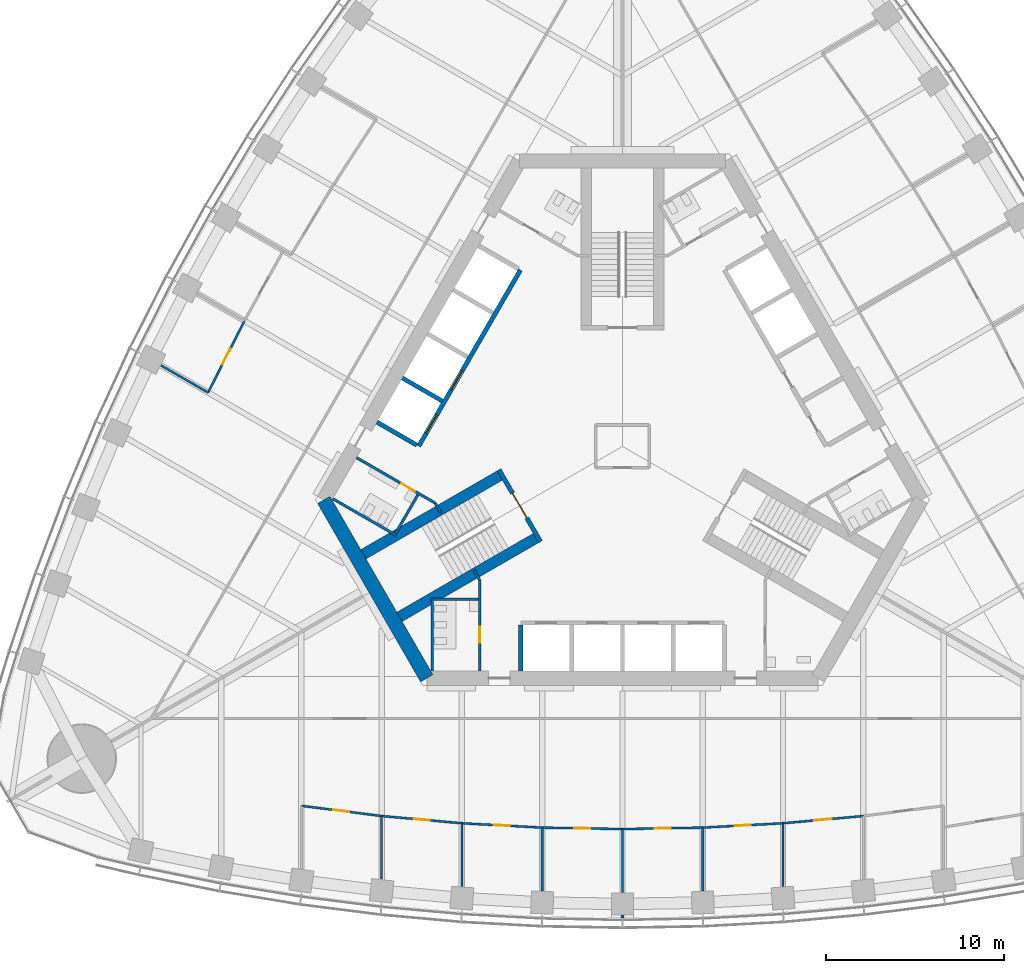
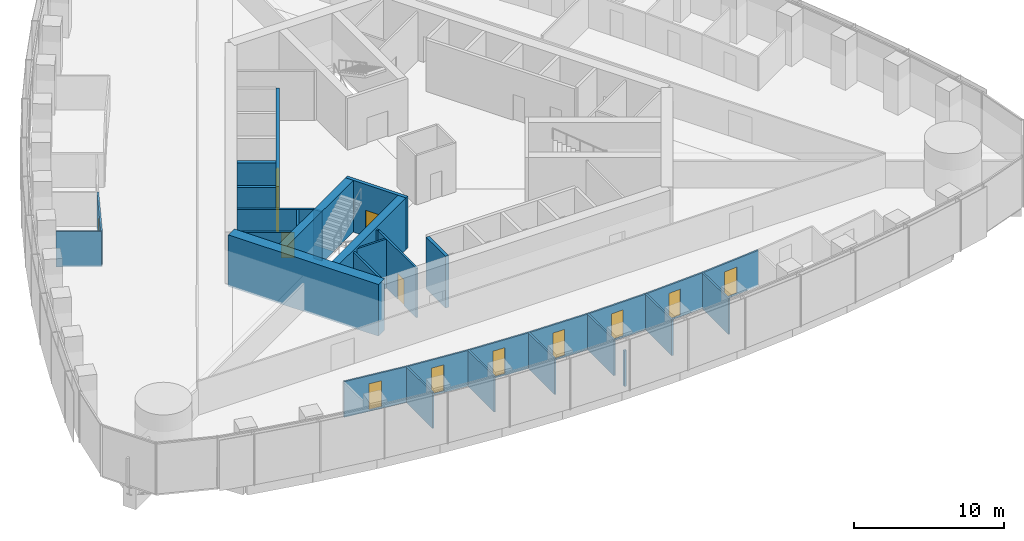
# One storey, part 12 of 21: 32 walls, 13 doors, 13 openings.
"""IFC4 building model written with IfcOpenShell, lengths in metres."""

import ifcopenshell
import ifcopenshell.guid

model = None  # the IFC model being written
_history = None  # IfcOwnerHistory: only IFC2X3 demands one
_inside = {}  # id of a spatial element -> (the spatial element, [elements in it])
_under = {}  # id of a project, library or spatial element -> (it, [spatial elements below it])
_declared = {}  # id of a project -> (the project, [libraries it declares])
_typed = {}  # id of a type object -> (the type object, [elements of that type])
_made_of = {}  # id of a material, layer set ... -> (it, [elements and type objects made of it])


def new_model(schema):
    """Start an empty IFC model of exactly this schema.

    Asked for "IFC4X3", IfcOpenShell would pick the latest addendum, in which some entities
    have other attributes; the version numbers below select the first issue.
    IFC2X3 requires an IfcOwnerHistory on every rooted entity: one is made here for all.
    """
    global model, _history
    if schema == "IFC4X3":
        model = ifcopenshell.file(schema_version=(4, 3, 0, 0))
    else:
        model = ifcopenshell.file(schema=schema)
    _inside.clear()
    _under.clear()
    _declared.clear()
    _typed.clear()
    _made_of.clear()
    _history = None
    if model.schema == "IFC2X3":
        org = make("IfcOrganization", Name="unknown")
        user = make(
            "IfcPersonAndOrganization",
            ThePerson=make("IfcPerson", FamilyName="unknown"),
            TheOrganization=org,
        )
        app = make(
            "IfcApplication",
            ApplicationDeveloper=org,
            Version="unknown",
            ApplicationFullName="unknown",
            ApplicationIdentifier="unknown",
        )
        _history = make(
            "IfcOwnerHistory",
            OwningUser=user,
            OwningApplication=app,
            ChangeAction="ADDED",
            CreationDate=0,
        )
    return model


def make(cls, **values):
    """One entity of the class cls with the attributes given. An attribute that is None is left unset."""
    return model.create_entity(
        cls, **{name: value for name, value in values.items() if value is not None}
    )


def rooted(cls, **values):
    """An entity with a GlobalId (a new one), such as an element, a storey or a relation."""
    return make(cls, GlobalId=ifcopenshell.guid.new(), OwnerHistory=_history, **values)


def si_unit(unit_type, name, prefix=None):
    """IfcSIUnit, for example si_unit("LENGTHUNIT", "METRE", prefix="MILLI")."""
    return make("IfcSIUnit", UnitType=unit_type, Prefix=prefix, Name=name)


def assignment(units):
    """IfcUnitAssignment: the units of a project."""
    return None if units is None else make("IfcUnitAssignment", Units=units)


def point(xyz):
    """IfcCartesianPoint."""
    return None if xyz is None else make("IfcCartesianPoint", Coordinates=xyz)


def direction(xyz):
    """IfcDirection."""
    return None if xyz is None else make("IfcDirection", DirectionRatios=xyz)


def frame(location, z_axis=None, x_axis=None):
    """IfcAxis2Placement3D, a coordinate frame: its origin and axes. An axis left out is left unset."""
    return make(
        "IfcAxis2Placement3D",
        Location=point(location),
        Axis=direction(z_axis),
        RefDirection=direction(x_axis),
    )


def frame_2d(location, x_axis=None):
    """IfcAxis2Placement2D, a coordinate frame in the plane: its origin and x axis."""
    return make(
        "IfcAxis2Placement2D", Location=point(location), RefDirection=direction(x_axis)
    )


def origin():
    """The frame at (0, 0, 0) with its axes left unset."""
    return frame((0.0, 0.0, 0.0))


def place(relative_to, where):
    """IfcLocalPlacement: puts the frame where relative to a parent placement (None: the world)."""
    return make(
        "IfcLocalPlacement", PlacementRelTo=relative_to, RelativePlacement=where
    )


def context(
    kind, dimensions, precision=None, world=None, true_north=None, identifier=None
):
    """IfcGeometricRepresentationContext, for example the 3D "Model" context."""
    return make(
        "IfcGeometricRepresentationContext",
        ContextIdentifier=identifier,
        ContextType=kind,
        CoordinateSpaceDimension=dimensions,
        Precision=precision,
        WorldCoordinateSystem=world,
        TrueNorth=true_north,
    )


def subcontext(parent, identifier, kind, view, scale=None):
    """IfcGeometricRepresentationSubContext, for example "Body" below "Model"."""
    return make(
        "IfcGeometricRepresentationSubContext",
        ContextIdentifier=identifier,
        ContextType=kind,
        ParentContext=parent,
        TargetScale=scale,
        TargetView=view,
    )


def project(units=None, contexts=None):
    """IfcProject with its units and contexts."""
    return rooted(
        "IfcProject",
        Name="project",
        RepresentationContexts=contexts,
        UnitsInContext=assignment(units),
    )


def spatial(cls, under=None, at=None, **own):
    """A site, building, storey or space (cls), placed at a placement, below another one or the project."""
    s = rooted(cls, ObjectPlacement=at, **own)
    if under is not None:
        _under.setdefault(under.id(), (under, []))[1].append(s)
    return s


def profile(cls, at=None, kind="AREA", **sizes):
    """A parametric profile (cls). Its sizes go by their IFC names, for example OverallWidth=200.0."""
    return make(cls, ProfileType=kind, Position=at, **sizes)


def rectangle(**sizes):
    """IfcRectangleProfileDef."""
    return profile("IfcRectangleProfileDef", **sizes)


def extrude(swept, where, along, depth):
    """IfcExtrudedAreaSolid: the profile swept, set in the frame where, extruded along a direction by depth."""
    return make(
        "IfcExtrudedAreaSolid",
        SweptArea=swept,
        Position=where,
        ExtrudedDirection=direction(along),
        Depth=depth,
    )


def shape(context_of_items, identifier, shape_type, items):
    """IfcShapeRepresentation: the items that make up one representation, for example the "Body"."""
    return make(
        "IfcShapeRepresentation",
        ContextOfItems=context_of_items,
        RepresentationIdentifier=identifier,
        RepresentationType=shape_type,
        Items=items,
    )


def material(Name=None, Category=None):
    """IfcMaterial."""
    return make("IfcMaterial", Name=Name, Category=Category)


def layer(
    of_material, thickness, ventilated=None, Name=None, Category=None, Priority=None
):
    """IfcMaterialLayer: one layer of a wall or slab, of a material (None: an air gap)."""
    return make(
        "IfcMaterialLayer",
        Material=of_material,
        LayerThickness=thickness,
        IsVentilated=ventilated,
        Name=Name,
        Category=Category,
        Priority=Priority,
    )


def layer_set(layers, Name=None):
    """IfcMaterialLayerSet."""
    return make("IfcMaterialLayerSet", MaterialLayers=layers, LayerSetName=Name)


def made_of(thing, what):
    """Note that an element or type object is made of a material, layer set ...; save() writes the relation."""
    if what is not None:
        _made_of.setdefault(what.id(), (what, []))[1].append(thing)
    return thing


def type_object(cls, material=None, **own):
    """A type object (cls), such as IfcWallType, which elements share."""
    return made_of(rooted(cls, **own), material)


def element(
    cls,
    number,
    at=None,
    inside=None,
    cuts=None,
    type_object=None,
    material=None,
    context=None,
    identifier="Body",
    shape_type=None,
    held_by="IfcProductDefinitionShape",
    body=None,
    shapes=None,
    **own,
):
    """One element of the class cls, such as IfcWall. Its Tag is "e" and its number.

    at: its placement. inside: the storey or other place that contains it. cuts: it is an
    opening in that element (IfcRelVoidsElement). A single representation is given by context,
    identifier, shape_type and body (its items); several are given by shapes. held_by: the class
    of the entity that holds the representations. save() writes the other relations.
    """
    e = rooted(cls, Tag="e%d" % number, ObjectPlacement=at, **own)
    if body is not None:
        shapes = [shape(context, identifier, shape_type, body)]
    if shapes is not None:
        e.Representation = make(held_by, Representations=shapes)
    if inside is not None:
        _inside.setdefault(inside.id(), (inside, []))[1].append(e)
    if cuts is not None:
        rooted(
            "IfcRelVoidsElement", RelatingBuildingElement=cuts, RelatedOpeningElement=e
        )
    if type_object is not None:
        _typed.setdefault(type_object.id(), (type_object, []))[1].append(e)
    return made_of(e, material)


def fill(opening, filler):
    """IfcRelFillsElement: the door or window that sits in an opening."""
    return rooted(
        "IfcRelFillsElement",
        RelatingOpeningElement=opening,
        RelatedBuildingElement=filler,
    )


def aggregate(whole, parts):
    """IfcRelAggregates: a whole, such as a stair, and the parts it consists of."""
    return rooted("IfcRelAggregates", RelatingObject=whole, RelatedObjects=parts)


def save(model, path):
    """Write the relations noted so far, then the file.

    IfcRelAggregates (storeys below a building ...), IfcRelContainedInSpatialStructure (elements
    in a storey), IfcRelDefinesByType, IfcRelAssociatesMaterial and IfcRelDeclares: one each for
    every whole, place, type object, material and project.
    """
    for whole, parts in _under.values():
        aggregate(whole, parts)
    for where, things in _inside.values():
        rooted(
            "IfcRelContainedInSpatialStructure",
            RelatedElements=things,
            RelatingStructure=where,
        )
    for kind, things in _typed.values():
        rooted("IfcRelDefinesByType", RelatedObjects=things, RelatingType=kind)
    for what, things in _made_of.values():
        rooted("IfcRelAssociatesMaterial", RelatedObjects=things, RelatingMaterial=what)
    for by, libraries in _declared.values():
        rooted("IfcRelDeclares", RelatingContext=by, RelatedDefinitions=libraries)
    model.write(path)


model = new_model("IFC4")

# Units and contexts
model_context = context("Model", 3, precision=1e-05, world=origin(), true_north=direction((0.0, 1.0)))
body_context = subcontext(model_context, "Body", "Model", "MODEL_VIEW")
ifc_project = project(units=[si_unit("LENGTHUNIT", "METRE"), si_unit("AREAUNIT", "SQUARE_METRE"), si_unit("VOLUMEUNIT", "CUBIC_METRE"), si_unit("PLANEANGLEUNIT", "RADIAN"), si_unit("MASSUNIT", "GRAM", prefix="KILO")], contexts=[model_context])

# Site, building, storey
site_placement = place(None, origin())
site = spatial("IfcSite", under=ifc_project, at=site_placement, CompositionType="ELEMENT")
building_placement = place(site_placement, origin())
building = spatial("IfcBuilding", under=site, at=building_placement, Name="Trefoil Bronze Tower", CompositionType="ELEMENT")
storey_placement = place(building_placement, frame((0.0, 0.0, 145.10009765625)))
storey = spatial("IfcBuildingStorey", under=building, at=storey_placement, Name="L33", CompositionType="ELEMENT", Elevation=145.10009765625)

# Wall
ifc_material_1 = material(Name="Concrete B80", Category="concrete")
ifc_layer_1 = layer(ifc_material_1, 0.800048828125)
ifc_layer_set_1 = layer_set([ifc_layer_1], Name="Core wall 800")
wall_type_1 = type_object("IfcWallType", Name="Core wall 800", PredefinedType="SHEAR", material=ifc_layer_set_1)
wall_1_placement = place(storey_placement, frame((-16.7431640625, -3.0, 0.0), z_axis=(0.0, 0.0, 1.0), x_axis=(0.499995765644, -0.866027848477, 0.0)))
element("IfcWall", 1, at=wall_1_placement, inside=storey, type_object=wall_type_1, Name="Core short wall 3 L33", PredefinedType="SHEAR", context=body_context, shape_type="SweptSolid", body=[
    extrude(rectangle(XDim=11.546875, YDim=0.800048828125, at=frame_2d((5.7734375, 0.0))), origin(), (0.0, 0.0, 1.0), 4.199951171875),
])

# Wall, opening, door
ifc_material_2 = material(Name="Glazed partition", Category="glass")
ifc_layer_2 = layer(ifc_material_2, 0.1201171875)
ifc_layer_set_2 = layer_set([ifc_layer_2], Name="Glazed partition 120")
wall_type_2 = type_object("IfcWallType", Name="Glazed partition 120", PredefinedType="PARTITIONING", material=ifc_layer_set_2)
wall_2_placement = place(storey_placement, frame((0.0, -21.44970703125, 0.0), z_axis=(0.0, 0.0, 1.0), x_axis=(0.999837820638, 0.018009231578, 0.0)))
wall_2 = element("IfcWall", 2, at=wall_2_placement, inside=storey, type_object=wall_type_2, Name="Partition F1 L33", PredefinedType="PARTITIONING", context=body_context, shape_type="SweptSolid", body=[
    extrude(rectangle(XDim=4.500732421875, YDim=0.1201171875, at=frame_2d((2.25048828125, 0.0))), origin(), (0.0, 0.0, 1.0), 2.89990234375),
])
opening_1_placement = place(wall_2_placement, frame((1.800048828125, 0.0, 0.14990234375)))
opening_1 = element("IfcOpeningElement", 3, at=opening_1_placement, cuts=wall_2, Name="Opening D8", PredefinedType="OPENING", context=body_context, shape_type="SweptSolid", body=[
    extrude(rectangle(XDim=0.89990234375, YDim=2.10009765625, at=frame_2d((0.449951171875, 1.050048828125))), frame((0.0, 0.070068359375, 0.0), z_axis=(0.0, -1.0, 0.0), x_axis=(1.0, 0.0, 0.0)), (0.0, 0.0, 1.0), 0.14013671875),
])
ifc_material_3 = material(Name="Timber door", Category="wood")
door_type_1 = type_object("IfcDoorType", Name="Office door 900", OperationType="SINGLE_SWING_LEFT", PredefinedType="DOOR", material=ifc_material_3)
door_1_placement = place(opening_1_placement, frame((0.89990234375, 0.0, 0.0), z_axis=(0.0, 0.0, 1.0), x_axis=(-1.0, 0.0, 0.0)))
door_1 = element("IfcDoor", 4, at=door_1_placement, inside=storey, type_object=door_type_1, Name="Office door F1 L33", OperationType="SINGLE_SWING_RIGHT", OverallHeight=2.10009765625, OverallWidth=0.89990234375, PredefinedType="DOOR", context=body_context, shape_type="SweptSolid", body=[
    extrude(rectangle(XDim=0.89990234375, YDim=2.10009765625, at=frame_2d((0.449951171875, 1.050048828125))), frame((0.0, 0.02490234375, 0.0), z_axis=(0.0, -1.0, 0.0), x_axis=(1.0, 0.0, 0.0)), (0.0, 0.0, 1.0), 0.050048828125),
])
fill(opening_1, door_1)

wall_3_placement = place(storey_placement, frame((4.5, -21.36865234375, 0.0), z_axis=(0.0, 0.0, 1.0), x_axis=(0.998537376538, 0.054065771581, 0.0)))
wall_3 = element("IfcWall", 5, at=wall_3_placement, inside=storey, type_object=wall_type_2, Name="Partition F1 L33", PredefinedType="PARTITIONING", context=body_context, shape_type="SweptSolid", body=[
    extrude(rectangle(XDim=4.506591796875, YDim=0.1201171875, at=frame_2d((2.25341796875, 0.0))), origin(), (0.0, 0.0, 1.0), 2.89990234375),
])
opening_2_placement = place(wall_3_placement, frame((1.800048828125, 0.0, 0.14990234375)))
opening_2 = element("IfcOpeningElement", 6, at=opening_2_placement, cuts=wall_3, Name="Opening D8", PredefinedType="OPENING", context=body_context, shape_type="SweptSolid", body=[
    extrude(rectangle(XDim=0.89990234375, YDim=2.10009765625, at=frame_2d((0.449951171875, 1.050048828125))), frame((0.0, 0.070068359375, 0.0), z_axis=(0.0, -1.0, 0.0), x_axis=(1.0, 0.0, 0.0)), (0.0, 0.0, 1.0), 0.14013671875),
])
door_2_placement = place(opening_2_placement, frame((0.89990234375, 0.0, 0.0), z_axis=(0.0, 0.0, 1.0), x_axis=(-1.0, 0.0, 0.0)))
door_2 = element("IfcDoor", 7, at=door_2_placement, inside=storey, type_object=door_type_1, Name="Office door F1 L33", OperationType="SINGLE_SWING_RIGHT", OverallHeight=2.10009765625, OverallWidth=0.89990234375, PredefinedType="DOOR", context=body_context, shape_type="SweptSolid", body=[
    extrude(rectangle(XDim=0.89990234375, YDim=2.10009765625, at=frame_2d((0.449951171875, 1.050048828125))), frame((0.0, 0.02490234375, 0.0), z_axis=(0.0, -1.0, 0.0), x_axis=(1.0, 0.0, 0.0)), (0.0, 0.0, 1.0), 0.050048828125),
])
fill(opening_2, door_2)

wall_4_placement = place(storey_placement, frame((9.0, -21.125, 0.0), z_axis=(0.0, 0.0, 1.0), x_axis=(0.995930325215, 0.090126507295, 0.0)))
wall_4 = element("IfcWall", 8, at=wall_4_placement, inside=storey, type_object=wall_type_2, Name="Partition F1 L33", PredefinedType="PARTITIONING", context=body_context, shape_type="SweptSolid", body=[
    extrude(rectangle(XDim=4.518310546875, YDim=0.1201171875, at=frame_2d((2.25927734375, 0.0))), origin(), (0.0, 0.0, 1.0), 2.89990234375),
])
opening_3_placement = place(wall_4_placement, frame((1.75, 0.0, 0.14990234375)))
opening_3 = element("IfcOpeningElement", 9, at=opening_3_placement, cuts=wall_4, Name="Opening D9", PredefinedType="OPENING", context=body_context, shape_type="SweptSolid", body=[
    extrude(rectangle(XDim=1.0, YDim=2.10009765625, at=frame_2d((0.5, 1.050048828125))), frame((0.0, 0.070068359375, 0.0), z_axis=(0.0, -1.0, 0.0), x_axis=(1.0, 0.0, 0.0)), (0.0, 0.0, 1.0), 0.14013671875),
])
ifc_material_4 = material(Name="Glazed timber door", Category="wood")
door_type_2 = type_object("IfcDoorType", Name="Meeting room door 1000", OperationType="SINGLE_SWING_LEFT", PredefinedType="DOOR", material=ifc_material_4)
door_3_placement = place(opening_3_placement, frame((1.0, 0.0, 0.0), z_axis=(0.0, 0.0, 1.0), x_axis=(-1.0, 0.0, 0.0)))
door_3 = element("IfcDoor", 10, at=door_3_placement, inside=storey, type_object=door_type_2, Name="Meeting room door F1 L33", OperationType="SINGLE_SWING_RIGHT", OverallHeight=2.10009765625, OverallWidth=1.0, PredefinedType="DOOR", context=body_context, shape_type="SweptSolid", body=[
    extrude(rectangle(XDim=1.0, YDim=2.10009765625, at=frame_2d((0.5, 1.050048828125))), frame((0.0, 0.02490234375, 0.0), z_axis=(0.0, -1.0, 0.0), x_axis=(1.0, 0.0, 0.0)), (0.0, 0.0, 1.0), 0.050048828125),
])
fill(opening_3, door_3)

wall_5_placement = place(storey_placement, frame((-13.5, -20.7177734375, 0.0), z_axis=(0.0, 0.0, 1.0), x_axis=(0.995930325215, -0.090126507295, 0.0)))
wall_5 = element("IfcWall", 11, at=wall_5_placement, inside=storey, type_object=wall_type_2, Name="Partition F1 L33", PredefinedType="PARTITIONING", context=body_context, shape_type="SweptSolid", body=[
    extrude(rectangle(XDim=4.518310546875, YDim=0.1201171875, at=frame_2d((2.25927734375, 0.0))), origin(), (0.0, 0.0, 1.0), 2.89990234375),
])
opening_4_placement = place(wall_5_placement, frame((1.800048828125, 0.0, 0.14990234375)))
opening_4 = element("IfcOpeningElement", 12, at=opening_4_placement, cuts=wall_5, Name="Opening D8", PredefinedType="OPENING", context=body_context, shape_type="SweptSolid", body=[
    extrude(rectangle(XDim=0.89990234375, YDim=2.10009765625, at=frame_2d((0.449951171875, 1.050048828125))), frame((0.0, 0.070068359375, 0.0), z_axis=(0.0, -1.0, 0.0), x_axis=(1.0, 0.0, 0.0)), (0.0, 0.0, 1.0), 0.14013671875),
])
door_4_placement = place(opening_4_placement, frame((0.89990234375, 0.0, 0.0), z_axis=(0.0, 0.0, 1.0), x_axis=(-1.0, 0.0, 0.0)))
door_4 = element("IfcDoor", 13, at=door_4_placement, inside=storey, type_object=door_type_1, Name="Office door F1 L33", OperationType="SINGLE_SWING_RIGHT", OverallHeight=2.10009765625, OverallWidth=0.89990234375, PredefinedType="DOOR", context=body_context, shape_type="SweptSolid", body=[
    extrude(rectangle(XDim=0.89990234375, YDim=2.10009765625, at=frame_2d((0.449951171875, 1.050048828125))), frame((0.0, 0.02490234375, 0.0), z_axis=(0.0, -1.0, 0.0), x_axis=(1.0, 0.0, 0.0)), (0.0, 0.0, 1.0), 0.050048828125),
])
fill(opening_4, door_4)

wall_6_placement = place(storey_placement, frame((-18.0, -20.1455078125, 0.0), z_axis=(0.0, 0.0, 1.0), x_axis=(0.992010652594, -0.12615413247, 0.0)))
wall_6 = element("IfcWall", 14, at=wall_6_placement, inside=storey, type_object=wall_type_2, Name="Partition F1 L33", PredefinedType="PARTITIONING", context=body_context, shape_type="SweptSolid", body=[
    extrude(rectangle(XDim=4.5361328125, YDim=0.1201171875, at=frame_2d((2.26806640625, 0.0))), origin(), (0.0, 0.0, 1.0), 2.89990234375),
])
opening_5_placement = place(wall_6_placement, frame((1.800048828125, 0.0, 0.14990234375)))
opening_5 = element("IfcOpeningElement", 15, at=opening_5_placement, cuts=wall_6, Name="Opening D8", PredefinedType="OPENING", context=body_context, shape_type="SweptSolid", body=[
    extrude(rectangle(XDim=0.89990234375, YDim=2.10009765625, at=frame_2d((0.449951171875, 1.050048828125))), frame((0.0, 0.070068359375, 0.0), z_axis=(0.0, -1.0, 0.0), x_axis=(1.0, 0.0, 0.0)), (0.0, 0.0, 1.0), 0.14013671875),
])
door_5_placement = place(opening_5_placement, frame((0.89990234375, 0.0, 0.0), z_axis=(0.0, 0.0, 1.0), x_axis=(-1.0, 0.0, 0.0)))
door_5 = element("IfcDoor", 16, at=door_5_placement, inside=storey, type_object=door_type_1, Name="Office door F1 L33", OperationType="SINGLE_SWING_RIGHT", OverallHeight=2.10009765625, OverallWidth=0.89990234375, PredefinedType="DOOR", context=body_context, shape_type="SweptSolid", body=[
    extrude(rectangle(XDim=0.89990234375, YDim=2.10009765625, at=frame_2d((0.449951171875, 1.050048828125))), frame((0.0, 0.02490234375, 0.0), z_axis=(0.0, -1.0, 0.0), x_axis=(1.0, 0.0, 0.0)), (0.0, 0.0, 1.0), 0.050048828125),
])
fill(opening_5, door_5)

wall_7_placement = place(storey_placement, frame((-4.5, -21.36865234375, 0.0), z_axis=(0.0, 0.0, 1.0), x_axis=(0.999837820638, -0.018009231578, 0.0)))
wall_7 = element("IfcWall", 17, at=wall_7_placement, inside=storey, type_object=wall_type_2, Name="Partition F1 L33", PredefinedType="PARTITIONING", context=body_context, shape_type="SweptSolid", body=[
    extrude(rectangle(XDim=4.500732421875, YDim=0.1201171875, at=frame_2d((2.25048828125, 0.0))), origin(), (0.0, 0.0, 1.0), 2.89990234375),
])
opening_6_placement = place(wall_7_placement, frame((1.800048828125, 0.0, 0.14990234375)))
opening_6 = element("IfcOpeningElement", 18, at=opening_6_placement, cuts=wall_7, Name="Opening D8", PredefinedType="OPENING", context=body_context, shape_type="SweptSolid", body=[
    extrude(rectangle(XDim=0.89990234375, YDim=2.10009765625, at=frame_2d((0.449951171875, 1.050048828125))), frame((0.0, 0.070068359375, 0.0), z_axis=(0.0, -1.0, 0.0), x_axis=(1.0, 0.0, 0.0)), (0.0, 0.0, 1.0), 0.14013671875),
])
door_6_placement = place(opening_6_placement, frame((0.89990234375, 0.0, 0.0), z_axis=(0.0, 0.0, 1.0), x_axis=(-1.0, 0.0, 0.0)))
door_6 = element("IfcDoor", 19, at=door_6_placement, inside=storey, type_object=door_type_1, Name="Office door F1 L33", OperationType="SINGLE_SWING_RIGHT", OverallHeight=2.10009765625, OverallWidth=0.89990234375, PredefinedType="DOOR", context=body_context, shape_type="SweptSolid", body=[
    extrude(rectangle(XDim=0.89990234375, YDim=2.10009765625, at=frame_2d((0.449951171875, 1.050048828125))), frame((0.0, 0.02490234375, 0.0), z_axis=(0.0, -1.0, 0.0), x_axis=(1.0, 0.0, 0.0)), (0.0, 0.0, 1.0), 0.050048828125),
])
fill(opening_6, door_6)

wall_8_placement = place(storey_placement, frame((-9.0, -21.125, 0.0), z_axis=(0.0, 0.0, 1.0), x_axis=(0.998537376538, -0.054065771581, 0.0)))
wall_8 = element("IfcWall", 20, at=wall_8_placement, inside=storey, type_object=wall_type_2, Name="Partition F1 L33", PredefinedType="PARTITIONING", context=body_context, shape_type="SweptSolid", body=[
    extrude(rectangle(XDim=4.506591796875, YDim=0.1201171875, at=frame_2d((2.25341796875, 0.0))), origin(), (0.0, 0.0, 1.0), 2.89990234375),
])
opening_7_placement = place(wall_8_placement, frame((1.800048828125, 0.0, 0.14990234375)))
opening_7 = element("IfcOpeningElement", 21, at=opening_7_placement, cuts=wall_8, Name="Opening D8", PredefinedType="OPENING", context=body_context, shape_type="SweptSolid", body=[
    extrude(rectangle(XDim=0.89990234375, YDim=2.10009765625, at=frame_2d((0.449951171875, 1.050048828125))), frame((0.0, 0.070068359375, 0.0), z_axis=(0.0, -1.0, 0.0), x_axis=(1.0, 0.0, 0.0)), (0.0, 0.0, 1.0), 0.14013671875),
])
door_7_placement = place(opening_7_placement, frame((0.89990234375, 0.0, 0.0), z_axis=(0.0, 0.0, 1.0), x_axis=(-1.0, 0.0, 0.0)))
door_7 = element("IfcDoor", 22, at=door_7_placement, inside=storey, type_object=door_type_1, Name="Office door F1 L33", OperationType="SINGLE_SWING_RIGHT", OverallHeight=2.10009765625, OverallWidth=0.89990234375, PredefinedType="DOOR", context=body_context, shape_type="SweptSolid", body=[
    extrude(rectangle(XDim=0.89990234375, YDim=2.10009765625, at=frame_2d((0.449951171875, 1.050048828125))), frame((0.0, 0.02490234375, 0.0), z_axis=(0.0, -1.0, 0.0), x_axis=(1.0, 0.0, 0.0)), (0.0, 0.0, 1.0), 0.050048828125),
])
fill(opening_7, door_7)

# Walls
wall_9_placement = place(storey_placement, frame((0.0, -21.44970703125, 0.0), z_axis=(0.0, 0.0, 1.0), x_axis=(0.0, -1.0, 0.0)))
element("IfcWall", 23, at=wall_9_placement, inside=storey, type_object=wall_type_2, Name="Partition F1 L33", PredefinedType="PARTITIONING", context=body_context, shape_type="SweptSolid", body=[
    extrude(rectangle(XDim=3.544921875, YDim=0.1201171875, at=frame_2d((1.7724609375, 0.0))), origin(), (0.0, 0.0, 1.0), 2.89990234375),
])
wall_10_placement = place(storey_placement, frame((4.5, -21.36865234375, 0.0), z_axis=(0.0, 0.0, 1.0), x_axis=(0.0, -1.0, 0.0)))
element("IfcWall", 24, at=wall_10_placement, inside=storey, type_object=wall_type_2, Name="Partition F1 L33", PredefinedType="PARTITIONING", context=body_context, shape_type="SweptSolid", body=[
    extrude(rectangle(XDim=3.5439453125, YDim=0.1201171875, at=frame_2d((1.77197265625, 0.0))), origin(), (0.0, 0.0, 1.0), 2.89990234375),
])
wall_11_placement = place(storey_placement, frame((9.0, -21.125, 0.0), z_axis=(0.0, 0.0, 1.0), x_axis=(0.0, -1.0, 0.0)))
element("IfcWall", 25, at=wall_11_placement, inside=storey, type_object=wall_type_2, Name="Partition F1 L33", PredefinedType="PARTITIONING", context=body_context, shape_type="SweptSolid", body=[
    extrude(rectangle(XDim=3.541259765625, YDim=0.1201171875, at=frame_2d((1.7705078125, 0.0))), origin(), (0.0, 0.0, 1.0), 2.89990234375),
])
wall_12_placement = place(storey_placement, frame((-13.5, -20.7177734375, 0.0), z_axis=(0.0, 0.0, 1.0), x_axis=(0.0, -1.0, 0.0)))
element("IfcWall", 26, at=wall_12_placement, inside=storey, type_object=wall_type_2, Name="Partition F1 L33", PredefinedType="PARTITIONING", context=body_context, shape_type="SweptSolid", body=[
    extrude(rectangle(XDim=3.53662109375, YDim=0.1201171875, at=frame_2d((1.768310546875, 0.0))), origin(), (0.0, 0.0, 1.0), 2.89990234375),
])
wall_13_placement = place(storey_placement, frame((-4.5, -21.36865234375, 0.0), z_axis=(0.0, 0.0, 1.0), x_axis=(0.0, -1.0, 0.0)))
element("IfcWall", 27, at=wall_13_placement, inside=storey, type_object=wall_type_2, Name="Partition F1 L33", PredefinedType="PARTITIONING", context=body_context, shape_type="SweptSolid", body=[
    extrude(rectangle(XDim=3.5439453125, YDim=0.1201171875, at=frame_2d((1.77197265625, 0.0))), origin(), (0.0, 0.0, 1.0), 2.89990234375),
])
wall_14_placement = place(storey_placement, frame((-9.0, -21.125, 0.0), z_axis=(0.0, 0.0, 1.0), x_axis=(0.0, -1.0, 0.0)))
element("IfcWall", 28, at=wall_14_placement, inside=storey, type_object=wall_type_2, Name="Partition F1 L33", PredefinedType="PARTITIONING", context=body_context, shape_type="SweptSolid", body=[
    extrude(rectangle(XDim=3.541259765625, YDim=0.1201171875, at=frame_2d((1.7705078125, 0.0))), origin(), (0.0, 0.0, 1.0), 2.89990234375),
])

# Wall, opening, door
wall_15_placement = place(storey_placement, frame((-21.188720703125, 7.037109375, 0.0), z_axis=(0.0, 0.0, 1.0), x_axis=(-0.452471679136, -0.891778772779, 0.0)))
wall_15 = element("IfcWall", 29, at=wall_15_placement, inside=storey, type_object=wall_type_2, Name="Partition F3 L33", PredefinedType="PARTITIONING", context=body_context, shape_type="SweptSolid", body=[
    extrude(rectangle(XDim=4.506591796875, YDim=0.1201171875, at=frame_2d((2.25341796875, 0.0))), origin(), (0.0, 0.0, 1.0), 2.89990234375),
])
opening_8_placement = place(wall_15_placement, frame((1.75, 0.0, 0.14990234375)))
opening_8 = element("IfcOpeningElement", 30, at=opening_8_placement, cuts=wall_15, Name="Opening D9", PredefinedType="OPENING", context=body_context, shape_type="SweptSolid", body=[
    extrude(rectangle(XDim=1.0, YDim=2.10009765625, at=frame_2d((0.5, 1.050048828125))), frame((0.0, 0.070068359375, 0.0), z_axis=(0.0, -1.0, 0.0), x_axis=(1.0, 0.0, 0.0)), (0.0, 0.0, 1.0), 0.14013671875),
])
door_8_placement = place(opening_8_placement, frame((1.0, 0.0, 0.0), z_axis=(0.0, 0.0, 1.0), x_axis=(-1.0, 0.0, 0.0)))
door_8 = element("IfcDoor", 31, at=door_8_placement, inside=storey, type_object=door_type_2, Name="Project room door F3 L33", OperationType="SINGLE_SWING_RIGHT", OverallHeight=2.10009765625, OverallWidth=1.0, PredefinedType="DOOR", context=body_context, shape_type="SweptSolid", body=[
    extrude(rectangle(XDim=1.0, YDim=2.10009765625, at=frame_2d((0.5, 1.050048828125))), frame((0.0, 0.02490234375, 0.0), z_axis=(0.0, -1.0, 0.0), x_axis=(1.0, 0.0, 0.0)), (0.0, 0.0, 1.0), 0.050048828125),
])
fill(opening_8, door_8)

# Wall
wall_16_placement = place(storey_placement, frame((-23.227783203125, 3.018310546875, 0.0), z_axis=(0.0, 0.0, 1.0), x_axis=(-0.866041209536, 0.499972622635, 0.0)))
element("IfcWall", 32, at=wall_16_placement, inside=storey, type_object=wall_type_2, Name="Partition F3 L33", PredefinedType="PARTITIONING", context=body_context, shape_type="SweptSolid", body=[
    extrude(rectangle(XDim=3.041259765625, YDim=0.1201171875, at=frame_2d((1.5205078125, 0.0))), origin(), (0.0, 0.0, 1.0), 2.89990234375),
])

# Wall, opening, door
ifc_material_5 = material(Name="Gypsum board on steel studs", Category="steel")
ifc_layer_3 = layer(ifc_material_5, 0.14990234375)
ifc_layer_set_3 = layer_set([ifc_layer_3], Name="Partition 150")
wall_type_3 = type_object("IfcWallType", Name="Partition 150", PredefinedType="PARTITIONING", material=ifc_layer_set_3)
wall_17_placement = place(storey_placement, frame((-8.0, -7.5, 0.0), z_axis=(0.0, 0.0, 1.0), x_axis=(0.0, -1.0, 0.0)))
wall_17 = element("IfcWall", 33, at=wall_17_placement, inside=storey, type_object=wall_type_3, Name="Passage wall F1- L33", PredefinedType="PARTITIONING", context=body_context, shape_type="SweptSolid", body=[
    extrude(rectangle(XDim=5.10009765625, YDim=0.14990234375, at=frame_2d((2.550048828125, 0.0))), origin(), (0.0, 0.0, 1.0), 4.0),
])
opening_9_placement = place(wall_17_placement, frame((2.60009765625, 0.0, 0.0)))
opening_9 = element("IfcOpeningElement", 34, at=opening_9_placement, cuts=wall_17, Name="Opening D3", PredefinedType="OPENING", context=body_context, shape_type="SweptSolid", body=[
    extrude(rectangle(XDim=0.89990234375, YDim=2.10009765625, at=frame_2d((0.449951171875, 1.050048828125))), frame((0.0, 0.0849609375, 0.0), z_axis=(0.0, -1.0, 0.0), x_axis=(1.0, 0.0, 0.0)), (0.0, 0.0, 1.0), 0.169921875),
])
ifc_material_6 = material(Name="Timber door", Category="wood")
door_type_3 = type_object("IfcDoorType", Name="WC door 900", OperationType="SINGLE_SWING_LEFT", PredefinedType="DOOR", material=ifc_material_6)
door_9_placement = place(opening_9_placement, frame((0.89990234375, 0.0, 0.0), z_axis=(0.0, 0.0, 1.0), x_axis=(-1.0, 0.0, 0.0)))
door_9 = element("IfcDoor", 35, at=door_9_placement, inside=storey, type_object=door_type_3, Name="WC (women) door L33", OperationType="SINGLE_SWING_RIGHT", OverallHeight=2.10009765625, OverallWidth=0.89990234375, PredefinedType="DOOR", context=body_context, shape_type="SweptSolid", body=[
    extrude(rectangle(XDim=0.89990234375, YDim=2.10009765625, at=frame_2d((0.449951171875, 1.050048828125))), frame((0.0, 0.02490234375, 0.0), z_axis=(0.0, -1.0, 0.0), x_axis=(1.0, 0.0, 0.0)), (0.0, 0.0, 1.0), 0.050048828125),
])
fill(opening_9, door_9)

wall_18_placement = place(storey_placement, frame((-10.4951171875, -3.17822265625, 0.0), z_axis=(0.0, 0.0, 1.0), x_axis=(-0.86602216432, 0.500005610874, 0.0)))
wall_18 = element("IfcWall", 36, at=wall_18_placement, inside=storey, type_object=wall_type_3, Name="Passage wall F3+ L33", PredefinedType="PARTITIONING", context=body_context, shape_type="SweptSolid", body=[
    extrude(rectangle(XDim=5.10009765625, YDim=0.14990234375, at=frame_2d((2.550048828125, 0.0))), origin(), (0.0, 0.0, 1.0), 4.0),
])
opening_10_placement = place(wall_18_placement, frame((1.300048828125, 0.0, 0.0)))
opening_10 = element("IfcOpeningElement", 37, at=opening_10_placement, cuts=wall_18, Name="Opening D3", PredefinedType="OPENING", context=body_context, shape_type="SweptSolid", body=[
    extrude(rectangle(XDim=0.89990234375, YDim=2.10009765625, at=frame_2d((0.449951171875, 1.050048828125))), frame((0.0, 0.0849609375, 0.0), z_axis=(0.0, -1.0, 0.0), x_axis=(1.0, 0.0, 0.0)), (0.0, 0.0, 1.0), 0.169921875),
])
door_10_placement = place(opening_10_placement, origin())
door_10 = element("IfcDoor", 38, at=door_10_placement, inside=storey, type_object=door_type_3, Name="WC (men) door L33", OperationType="SINGLE_SWING_LEFT", OverallHeight=2.10009765625, OverallWidth=0.89990234375, PredefinedType="DOOR", context=body_context, shape_type="SweptSolid", body=[
    extrude(rectangle(XDim=0.89990234375, YDim=2.10009765625, at=frame_2d((0.449951171875, 1.050048828125))), frame((0.0, 0.02490234375, 0.0), z_axis=(0.0, -1.0, 0.0), x_axis=(1.0, 0.0, 0.0)), (0.0, 0.0, 1.0), 0.050048828125),
])
fill(opening_10, door_10)

# Walls
for number, where, z_axis, x_axis, name in (
    (39, (-10.4951171875, -3.17822265625, 0.0), (0.0, 0.0, 1.0), (0.499842556608, -0.866116284689, 0.0), "WC wall ST3-1 L33"),
    (40, (-8.0, -7.5, 0.0), (0.0, 0.0, 1.0), (-0.499842556608, 0.866116284689, 0.0), "WC wall ST3+1 L33"),
):
    element("IfcWall", number, at=place(storey_placement, frame(where, z_axis=z_axis, x_axis=x_axis)), inside=storey, type_object=wall_type_3, Name=name, PredefinedType="PARTITIONING", context=body_context, shape_type="SweptSolid", body=[
        extrude(rectangle(XDim=0.645263671875, YDim=0.14990234375, at=frame_2d((0.32275390625, 0.0))), origin(), (0.0, 0.0, 1.0), 4.0),
    ])
wall_19_placement = place(storey_placement, frame((-12.691162109375, -4.98193359375, 0.0), z_axis=(0.0, 0.0, 1.0), x_axis=(-0.8660249478, 0.500000789788, 0.0)))
element("IfcWall", 41, at=wall_19_placement, inside=storey, type_object=wall_type_3, Name="WC partition WC (men) L33", PredefinedType="PARTITIONING", context=body_context, shape_type="SweptSolid", body=[
    extrude(rectangle(XDim=4.10009765625, YDim=0.14990234375, at=frame_2d((2.050048828125, 0.0))), origin(), (0.0, 0.0, 1.0), 4.0),
])
wall_20_placement = place(storey_placement, frame((-11.463623046875, -2.70556640625, 0.0), z_axis=(0.0, 0.0, 1.0), x_axis=(-0.50001992892, -0.866013897511, 0.0)))
element("IfcWall", 42, at=wall_20_placement, inside=storey, type_object=wall_type_3, Name="WC partition WC (men) L33", PredefinedType="PARTITIONING", context=body_context, shape_type="SweptSolid", body=[
    extrude(rectangle(XDim=2.51025390625, YDim=0.14990234375, at=frame_2d((1.255126953125, 0.0))), origin(), (0.0, 0.0, 1.0), 4.0),
])
wall_21_placement = place(storey_placement, frame((-10.659912109375, -8.5, 0.0), z_axis=(0.0, 0.0, 1.0), x_axis=(0.0, -1.0, 0.0)))
element("IfcWall", 43, at=wall_21_placement, inside=storey, type_object=wall_type_3, Name="WC partition WC (women) L33", PredefinedType="PARTITIONING", context=body_context, shape_type="SweptSolid", body=[
    extrude(rectangle(XDim=4.10009765625, YDim=0.14990234375, at=frame_2d((2.050048828125, 0.0))), origin(), (0.0, 0.0, 1.0), 4.0),
])
wall_22_placement = place(storey_placement, frame((-8.074951171875, -8.574951171875, 0.0), z_axis=(0.0, 0.0, 1.0), x_axis=(-1.0, 0.0, 0.0)))
element("IfcWall", 44, at=wall_22_placement, inside=storey, type_object=wall_type_3, Name="WC partition WC (women) L33", PredefinedType="PARTITIONING", context=body_context, shape_type="SweptSolid", body=[
    extrude(rectangle(XDim=2.510009765625, YDim=0.14990234375, at=frame_2d((1.2548828125, 0.0))), origin(), (0.0, 0.0, 1.0), 4.0),
])
wall_23_placement = place(storey_placement, frame((0.0, -26.278564453125, 0.0), z_axis=(0.0, 0.0, 1.0), x_axis=(0.0, -1.0, 0.0)))
element("IfcWall", 45, at=wall_23_placement, inside=storey, type_object=wall_type_3, Name="Partition F1 L33", PredefinedType="PARTITIONING", context=body_context, shape_type="SweptSolid", body=[
    extrude(rectangle(XDim=0.166015625, YDim=0.14990234375, at=frame_2d((0.0830078125, 0.0))), origin(), (0.0, 0.0, 1.0), 2.89990234375),
])
ifc_material_7 = material(Name="Concrete B80", Category="concrete")
ifc_layer_4 = layer(ifc_material_7, 0.25)
ifc_layer_set_4 = layer_set([ifc_layer_4], Name="Shaft wall 250")
wall_type_4 = type_object("IfcWallType", Name="Shaft wall 250", PredefinedType="SHEAR", material=ifc_layer_set_4)
wall_24_placement = place(storey_placement, frame((-5.699951171875, -10.02490234375, 0.0), z_axis=(0.0, 0.0, 1.0), x_axis=(0.0, -1.0, 0.0)))
element("IfcWall", 46, at=wall_24_placement, inside=storey, type_object=wall_type_4, Name="Lift shaft side wall A0 L33", PredefinedType="SHEAR", context=body_context, shape_type="SweptSolid", body=[
    extrude(rectangle(XDim=2.5751953125, YDim=0.25, at=frame_2d((1.28759765625, 0.0))), origin(), (0.0, 0.0, 1.0), 4.199951171875),
])

# Wall, openings, doors
wall_25_placement = place(storey_placement, frame((-5.7236328125, 9.88623046875, 0.0), z_axis=(0.0, 0.0, 1.0), x_axis=(-0.500001763848, -0.866024385424, 0.0)))
wall_25 = element("IfcWall", 47, at=wall_25_placement, inside=storey, type_object=wall_type_4, Name="Lift shaft front wall C L33", PredefinedType="SHEAR", context=body_context, shape_type="SweptSolid", body=[
    extrude(rectangle(XDim=11.39990234375, YDim=0.25, at=frame_2d((5.699951171875, 0.0))), origin(), (0.0, 0.0, 1.0), 4.199951171875),
])
opening_11_placement = place(wall_25_placement, frame((6.52490234375, 0.0, 0.0)))
opening_11 = element("IfcOpeningElement", 48, at=opening_11_placement, cuts=wall_25, Name="Opening LD-FL1", PredefinedType="OPENING", context=body_context, shape_type="SweptSolid", body=[
    extrude(rectangle(XDim=1.199951171875, YDim=2.199951171875, at=frame_2d((0.60009765625, 1.10009765625))), frame((0.0, 0.135009765625, 0.0), z_axis=(0.0, -1.0, 0.0), x_axis=(1.0, 0.0, 0.0)), (0.0, 0.0, 1.0), 0.27001953125),
])
opening_12_placement = place(wall_25_placement, frame((9.375, 0.0, 0.0)))
opening_12 = element("IfcOpeningElement", 49, at=opening_12_placement, cuts=wall_25, Name="Opening LD-FL2", PredefinedType="OPENING", context=body_context, shape_type="SweptSolid", body=[
    extrude(rectangle(XDim=1.199951171875, YDim=2.199951171875, at=frame_2d((0.60009765625, 1.10009765625))), frame((0.0, 0.135009765625, 0.0), z_axis=(0.0, -1.0, 0.0), x_axis=(1.0, 0.0, 0.0)), (0.0, 0.0, 1.0), 0.27001953125),
])
ifc_material_8 = material(Name="Steel door", Category="steel")
door_type_4 = type_object("IfcDoorType", Name="Lift landing door 1200", OperationType="DOUBLE_DOOR_SLIDING", PredefinedType="DOOR", material=ifc_material_8)
door_11_placement = place(opening_11_placement, origin())
door_11 = element("IfcDoor", 50, at=door_11_placement, inside=storey, type_object=door_type_4, Name="Lift FL1 landing door L33", OperationType="DOUBLE_DOOR_SLIDING", OverallHeight=2.199951171875, OverallWidth=1.199951171875, PredefinedType="DOOR", context=body_context, shape_type="SweptSolid", body=[
    extrude(rectangle(XDim=1.199951171875, YDim=2.199951171875, at=frame_2d((0.60009765625, 1.10009765625))), frame((0.0, 0.02490234375, 0.0), z_axis=(0.0, -1.0, 0.0), x_axis=(1.0, 0.0, 0.0)), (0.0, 0.0, 1.0), 0.050048828125),
])
fill(opening_11, door_11)
door_12_placement = place(opening_12_placement, origin())
door_12 = element("IfcDoor", 51, at=door_12_placement, inside=storey, type_object=door_type_4, Name="Lift FL2 landing door L33", OperationType="DOUBLE_DOOR_SLIDING", OverallHeight=2.199951171875, OverallWidth=1.199951171875, PredefinedType="DOOR", context=body_context, shape_type="SweptSolid", body=[
    extrude(rectangle(XDim=1.199951171875, YDim=2.199951171875, at=frame_2d((0.60009765625, 1.10009765625))), frame((0.0, 0.02490234375, 0.0), z_axis=(0.0, -1.0, 0.0), x_axis=(1.0, 0.0, 0.0)), (0.0, 0.0, 1.0), 0.050048828125),
])
fill(opening_12, door_12)

# Walls
for number, where, z_axis, x_axis, name in (
    (52, (-10.10693359375, 2.54443359375, 0.0), (0.0, 0.0, 1.0), (-0.866046643894, 0.499963209246, 0.0), "Lift shaft side wall C3 L33"),
    (53, (-11.531982421875, 0.076171875, 0.0), (0.0, 0.0, 1.0), (-0.866005588531, 0.500034319456, 0.0), "Lift shaft side wall C4 L33"),
):
    element("IfcWall", number, at=place(storey_placement, frame(where, z_axis=z_axis, x_axis=x_axis)), inside=storey, type_object=wall_type_4, Name=name, PredefinedType="SHEAR", context=body_context, shape_type="SweptSolid", body=[
        extrude(rectangle(XDim=2.574951171875, YDim=0.25, at=frame_2d((1.28759765625, 0.0))), origin(), (0.0, 0.0, 1.0), 4.199951171875),
    ])

# Wall, opening, door
wall_26_placement = place(storey_placement, frame((-6.921630859375, -1.3115234375, 0.0), z_axis=(0.0, 0.0, 1.0), x_axis=(0.499984536904, -0.866034331223, 0.0)))
wall_26 = element("IfcWall", 54, at=wall_26_placement, inside=storey, type_object=wall_type_4, Name="Stair end wall ST3 L33", PredefinedType="SHEAR", context=body_context, shape_type="SweptSolid", body=[
    extrude(rectangle(XDim=4.650146484375, YDim=0.25, at=frame_2d((2.3251953125, 0.0))), origin(), (0.0, 0.0, 1.0), 4.199951171875),
])
opening_13_placement = place(wall_26_placement, frame((1.52490234375, 0.0, 0.0)))
opening_13 = element("IfcOpeningElement", 55, at=opening_13_placement, cuts=wall_26, Name="Opening D1", PredefinedType="OPENING", context=body_context, shape_type="SweptSolid", body=[
    extrude(rectangle(XDim=1.60009765625, YDim=2.10009765625, at=frame_2d((0.800048828125, 1.050048828125))), frame((0.0, 0.135009765625, 0.0), z_axis=(0.0, -1.0, 0.0), x_axis=(1.0, 0.0, 0.0)), (0.0, 0.0, 1.0), 0.27001953125),
])
ifc_material_9 = material(Name="Steel door", Category="steel")
door_type_5 = type_object("IfcDoorType", Name="Stair door 1600", OperationType="DOUBLE_DOOR_SINGLE_SWING", PredefinedType="DOOR", material=ifc_material_9)
door_13_placement = place(opening_13_placement, frame((1.60009765625, 0.0, 0.0), z_axis=(0.0, 0.0, 1.0), x_axis=(-1.0, 0.0, 0.0)))
door_13 = element("IfcDoor", 56, at=door_13_placement, inside=storey, type_object=door_type_5, Name="Stair door ST3 L33", OperationType="DOUBLE_DOOR_SINGLE_SWING", OverallHeight=2.10009765625, OverallWidth=1.60009765625, PredefinedType="DOOR", context=body_context, shape_type="SweptSolid", body=[
    extrude(rectangle(XDim=1.60009765625, YDim=2.10009765625, at=frame_2d((0.800048828125, 1.050048828125))), frame((0.0, 0.02490234375, 0.0), z_axis=(0.0, -1.0, 0.0), x_axis=(1.0, 0.0, 0.0)), (0.0, 0.0, 1.0), 0.050048828125),
])
fill(opening_13, door_13)

# Walls
ifc_material_10 = material(Name="Concrete B80", Category="concrete")
ifc_layer_5 = layer(ifc_material_10, 0.60009765625)
ifc_layer_set_5 = layer_set([ifc_layer_5], Name="Stair wall 600")
wall_type_5 = type_object("IfcWallType", Name="Stair wall 600", PredefinedType="SHEAR", material=ifc_layer_set_5)
for number, where, z_axis, x_axis, name in (
    (57, (-6.663330078125, -1.5087890625, 0.0), (0.0, 0.0, 1.0), (-0.866019375473, -0.500010441196, 0.0), "Stair wall ST3 L33"),
    (58, (-4.638427734375, -5.01611328125, 0.0), (0.0, 0.0, 1.0), (-0.866019375473, -0.500010441196, 0.0), "Stair wall ST3 L33"),
):
    element("IfcWall", number, at=place(storey_placement, frame(where, z_axis=z_axis, x_axis=x_axis)), inside=storey, type_object=wall_type_5, Name=name, PredefinedType="SHEAR", context=body_context, shape_type="SweptSolid", body=[
        extrude(rectangle(XDim=9.074951171875, YDim=0.60009765625, at=frame_2d((4.53759765625, 0.0))), origin(), (0.0, 0.0, 1.0), 4.199951171875),
    ])

save(model, "model.ifc")
